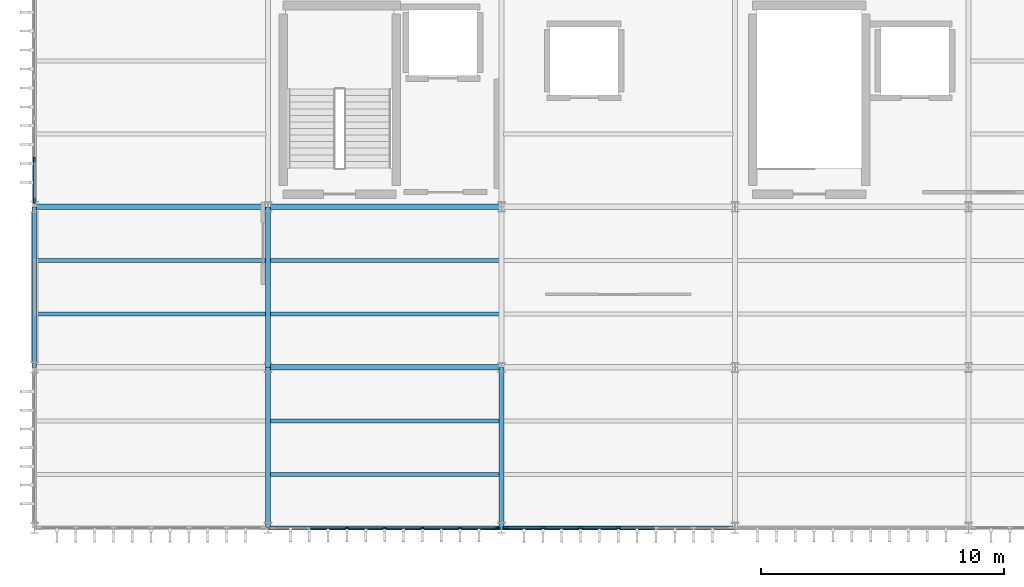
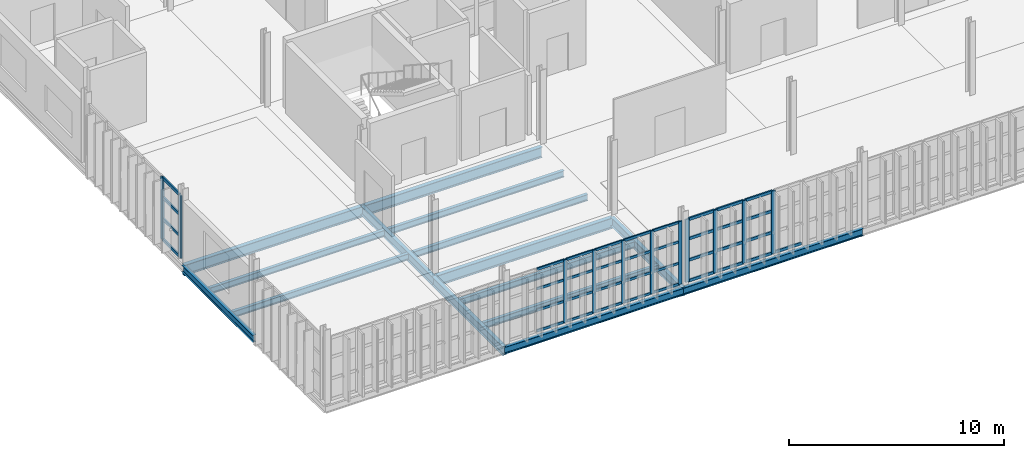
# One storey, part 5 of 38: 48 members, 15 beams, 3 elements without a shape of their own.
"""IFC4 building model written with IfcOpenShell, lengths in metres."""

from ifc_helpers import new_model, si_unit, direction, frame, origin, origin_2d, place, context, subcontext, project, spatial, rectangle, i_section, extrude, material, layer, layer_set, material_profile, profile_set, type_object, element, aggregate, save


model = new_model("IFC4")

# Units and contexts
model_context = context("Model", 3, precision=1e-05, world=origin(), true_north=direction((0.0, 1.0)))
body_context = subcontext(model_context, "Body", "Model", "MODEL_VIEW")
ifc_project = project(units=[si_unit("LENGTHUNIT", "METRE"), si_unit("AREAUNIT", "SQUARE_METRE"), si_unit("VOLUMEUNIT", "CUBIC_METRE"), si_unit("PLANEANGLEUNIT", "RADIAN"), si_unit("MASSUNIT", "GRAM", prefix="KILO")], contexts=[model_context])

# Site, building, storey
site_placement = place(None, origin())
site = spatial("IfcSite", under=ifc_project, at=site_placement, CompositionType="ELEMENT")
building_placement = place(site_placement, origin())
building = spatial("IfcBuilding", under=site, at=building_placement, Name="Zarnetskaya Central Station", CompositionType="ELEMENT")
storey_placement = place(building_placement, frame((0.0, 0.0, 18.60009765625)))
storey = spatial("IfcBuildingStorey", under=building, at=storey_placement, Name="L04", CompositionType="ELEMENT", Elevation=18.60009765625)

# Beams
ifc_material_1 = material(Name="Steel S355", Category="steel")
ifc_material_profile_1 = material_profile(ifc_material_1, i_section(OverallWidth=0.169921875, OverallDepth=0.360107421875, WebThickness=0.008056640625, FlangeThickness=0.0126953125, FilletRadius=0.01806640625, at=origin_2d()), Name="IPE 360")
ifc_profile_set_1 = profile_set([ifc_material_profile_1], Name="Steel S355")
beam_type_1 = type_object("IfcBeamType", Name="BM-SEC-360", PredefinedType="BEAM", material=ifc_profile_set_1)
for number, where, z_axis, x_axis, name in (
    (1, (0.080078125, 8.800048828125, -0.420166015625), (1.0, 0.0, 0.0), (0.0, 1.0, 0.0), "Secondary floor beam SEC-L04-Z1836-AB-23-1"),
    (2, (0.080078125, 11.0, -0.420166015625), (1.0, 0.0, 0.0), (0.0, 1.0, 0.0), "Secondary floor beam SEC-L04-Z1836-AB-23-2"),
):
    element("IfcBeam", number, at=place(storey_placement, frame(where, z_axis=z_axis, x_axis=x_axis)), inside=storey, type_object=beam_type_1, Name=name, PredefinedType="BEAM", context=body_context, shape_type="SweptSolid", body=[
        extrude(i_section(OverallWidth=0.169921875, OverallDepth=0.360107421875, WebThickness=0.008056640625, FlangeThickness=0.0126953125, FilletRadius=0.01806640625, at=origin_2d()), origin(), (0.0, 0.0, 1.0), 9.43994140625),
    ])
for number, where, z_axis, x_axis, name in (
    (3, (9.679931640625, 2.199951171875, -0.420166015625), (1.0, 0.0, 0.0), (0.0, 1.0, 0.0), "Secondary floor beam SEC-L04-Z1836-BC-12-1"),
    (4, (9.679931640625, 4.39990234375, -0.420166015625), (1.0, 0.0, 0.0), (0.0, 1.0, 0.0), "Secondary floor beam SEC-L04-Z1836-BC-12-2"),
    (5, (9.679931640625, 8.800048828125, -0.420166015625), (1.0, 0.0, 0.0), (0.0, 1.0, 0.0), "Secondary floor beam SEC-L04-Z1836-BC-23-1"),
    (6, (9.679931640625, 11.0, -0.420166015625), (1.0, 0.0, 0.0), (0.0, 1.0, 0.0), "Secondary floor beam SEC-L04-Z1836-BC-23-2"),
):
    element("IfcBeam", number, at=place(storey_placement, frame(where, z_axis=z_axis, x_axis=x_axis)), inside=storey, type_object=beam_type_1, Name=name, PredefinedType="BEAM", context=body_context, shape_type="SweptSolid", body=[
        extrude(i_section(OverallWidth=0.169921875, OverallDepth=0.360107421875, WebThickness=0.008056640625, FlangeThickness=0.0126953125, FilletRadius=0.01806640625, at=origin_2d()), origin(), (0.0, 0.0, 1.0), 9.440185546875),
    ])
ifc_material_profile_2 = material_profile(ifc_material_1, i_section(OverallWidth=0.179931640625, OverallDepth=0.39990234375, WebThickness=0.008544921875, FlangeThickness=0.013427734375, FilletRadius=0.02099609375, at=origin_2d()), Name="IPE 400")
ifc_profile_set_2 = profile_set([ifc_material_profile_2], Name="Steel S355")
beam_type_2 = type_object("IfcBeamType", Name="BM-SPN-V5", PredefinedType="SPANDREL", material=ifc_profile_set_2)
beam_1_placement = place(storey_placement, frame((0.0, 6.60009765625, -0.440185546875), z_axis=(0.0, 1.0, 0.0), x_axis=(-1.0, 0.0, 0.0)))
element("IfcBeam", 7, at=beam_1_placement, inside=storey, type_object=beam_type_2, Name="Grid girder GY-L04-A-23", PredefinedType="SPANDREL", context=body_context, shape_type="SweptSolid", body=[
    extrude(i_section(OverallWidth=0.179931640625, OverallDepth=0.39990234375, WebThickness=0.008544921875, FlangeThickness=0.013427734375, FilletRadius=0.02099609375, at=origin_2d()), origin(), (0.0, 0.0, 1.0), 6.599853515625),
])
beam_2_placement = place(storey_placement, frame((9.60009765625, 0.0, -0.440185546875), z_axis=(1.0, 0.0, 0.0), x_axis=(0.0, 1.0, 0.0)))
element("IfcBeam", 8, at=beam_2_placement, inside=storey, type_object=beam_type_2, Name="Grid girder GX-L04-1-BC", PredefinedType="SPANDREL", context=body_context, shape_type="SweptSolid", body=[
    extrude(i_section(OverallWidth=0.179931640625, OverallDepth=0.39990234375, WebThickness=0.008544921875, FlangeThickness=0.013427734375, FilletRadius=0.02099609375, at=origin_2d()), origin(), (0.0, 0.0, 1.0), 9.599853515625),
])
beam_3_placement = place(storey_placement, frame((19.199951171875, 0.0, -0.440185546875), z_axis=(1.0, 0.0, 0.0), x_axis=(0.0, 1.0, 0.0)))
element("IfcBeam", 9, at=beam_3_placement, inside=storey, type_object=beam_type_2, Name="Grid girder GX-L04-1-CD", PredefinedType="SPANDREL", context=body_context, shape_type="SweptSolid", body=[
    extrude(i_section(OverallWidth=0.179931640625, OverallDepth=0.39990234375, WebThickness=0.008544921875, FlangeThickness=0.013427734375, FilletRadius=0.02099609375, at=origin_2d()), origin(), (0.0, 0.0, 1.0), 9.60009765625),
])

# Curtain wall, members
ifc_material_2 = material(Name="Low-E insulated glass", Category="glass")
ifc_layer_1 = layer(ifc_material_2, 0.172119140625, Name="Low-E insulated glass", Category="glass")
ifc_layer_set_1 = layer_set([ifc_layer_1], Name="Low-E insulated glass")
curtain_wall_type_1 = type_object("IfcCurtainWallType", Name="CW-SYS-09", PredefinedType="USERDEFINED", material=ifc_layer_set_1)
curtain_wall_1_placement = place(storey_placement, origin())
curtain_wall_1 = element("IfcCurtainWall", 10, at=curtain_wall_1_placement, inside=storey, type_object=curtain_wall_type_1, Name="Curtain wall CW-L04-061", ObjectType="CURTAIN WALL", PredefinedType="USERDEFINED")
ifc_material_3 = material(Name="Anodised aluminium", Category="aluminium")
ifc_material_profile_3 = material_profile(ifc_material_3, rectangle(XDim=0.070068359375, YDim=0.179931640625, at=origin_2d()), Name="ALU MULL 70x180")
ifc_profile_set_3 = profile_set([ifc_material_profile_3], Name="Anodised aluminium")
member_type_1 = type_object("IfcMemberType", Name="CW-MULL-180", PredefinedType="MULLION", material=ifc_profile_set_3)
member_1_placement = place(storey_placement, frame((19.014892578125, 0.0, 0.0), z_axis=(0.0, 0.0, 1.0), x_axis=(0.0, -1.0, 0.0)))
member_1 = element("IfcMember", 11, at=member_1_placement, type_object=member_type_1, Name="CW-07 mullion 1", PredefinedType="MULLION", context=body_context, shape_type="SweptSolid", body=[
    extrude(rectangle(XDim=0.070068359375, YDim=0.179931640625, at=origin_2d()), origin(), (0.0, 0.0, 1.0), 3.559814453125),
])
member_2_placement = place(storey_placement, frame((17.5, 0.0, 0.0), z_axis=(0.0, 0.0, 1.0), x_axis=(0.0, -1.0, 0.0)))
member_2 = element("IfcMember", 12, at=member_2_placement, type_object=member_type_1, Name="CW-07 mullion 2", PredefinedType="MULLION", context=body_context, shape_type="SweptSolid", body=[
    extrude(rectangle(XDim=0.070068359375, YDim=0.179931640625, at=origin_2d()), origin(), (0.0, 0.0, 1.0), 3.559814453125),
])
member_3_placement = place(storey_placement, frame((15.949951171875, 0.0, 0.0), z_axis=(0.0, 0.0, 1.0), x_axis=(0.0, -1.0, 0.0)))
member_3 = element("IfcMember", 13, at=member_3_placement, type_object=member_type_1, Name="CW-07 mullion 3", PredefinedType="MULLION", context=body_context, shape_type="SweptSolid", body=[
    extrude(rectangle(XDim=0.070068359375, YDim=0.179931640625, at=origin_2d()), origin(), (0.0, 0.0, 1.0), 3.559814453125),
])
member_4_placement = place(storey_placement, frame((14.39990234375, 0.0, 0.0), z_axis=(0.0, 0.0, 1.0), x_axis=(0.0, -1.0, 0.0)))
member_4 = element("IfcMember", 14, at=member_4_placement, type_object=member_type_1, Name="CW-07 mullion 4", PredefinedType="MULLION", context=body_context, shape_type="SweptSolid", body=[
    extrude(rectangle(XDim=0.070068359375, YDim=0.179931640625, at=origin_2d()), origin(), (0.0, 0.0, 1.0), 3.559814453125),
])
member_5_placement = place(storey_placement, frame((12.85009765625, 0.0, 0.0), z_axis=(0.0, 0.0, 1.0), x_axis=(0.0, -1.0, 0.0)))
member_5 = element("IfcMember", 15, at=member_5_placement, type_object=member_type_1, Name="CW-07 mullion 5", PredefinedType="MULLION", context=body_context, shape_type="SweptSolid", body=[
    extrude(rectangle(XDim=0.070068359375, YDim=0.179931640625, at=origin_2d()), origin(), (0.0, 0.0, 1.0), 3.559814453125),
])

ifc_layer_2 = layer(ifc_material_2, 0.16796875, Name="Low-E insulated glass", Category="glass")
ifc_layer_set_2 = layer_set([ifc_layer_2], Name="Low-E insulated glass")
curtain_wall_type_2 = type_object("IfcCurtainWallType", Name="CW-SYS-08", PredefinedType="USERDEFINED", material=ifc_layer_set_2)
curtain_wall_2_placement = place(storey_placement, origin())
curtain_wall_2 = element("IfcCurtainWall", 16, at=curtain_wall_2_placement, inside=storey, type_object=curtain_wall_type_2, Name="Curtain wall CW-L04-048", ObjectType="CURTAIN WALL", PredefinedType="USERDEFINED")
ifc_material_profile_4 = material_profile(ifc_material_3, rectangle(XDim=0.080078125, YDim=0.219970703125, at=origin_2d()), Name="ALU MULL 80x220")
ifc_profile_set_4 = profile_set([ifc_material_profile_4], Name="Anodised aluminium")
member_type_2 = type_object("IfcMemberType", Name="CW-MULL-220", PredefinedType="MULLION", material=ifc_profile_set_4)
member_6_placement = place(storey_placement, frame((0.0, 13.465087890625, 0.0), z_axis=(0.0, 0.0, 1.0), x_axis=(-1.0, 0.0, 0.0)))
member_6 = element("IfcMember", 17, at=member_6_placement, type_object=member_type_2, Name="CW-16 mullion 1", PredefinedType="MULLION", context=body_context, shape_type="SweptSolid", body=[
    extrude(rectangle(XDim=0.080078125, YDim=0.219970703125, at=origin_2d()), origin(), (0.0, 0.0, 1.0), 3.559814453125),
])
member_7_placement = place(storey_placement, frame((0.0, 15.135009765625, 0.0), z_axis=(0.0, 0.0, 1.0), x_axis=(-1.0, 0.0, 0.0)))
member_7 = element("IfcMember", 18, at=member_7_placement, type_object=member_type_2, Name="CW-16 mullion 2", PredefinedType="MULLION", context=body_context, shape_type="SweptSolid", body=[
    extrude(rectangle(XDim=0.080078125, YDim=0.219970703125, at=origin_2d()), origin(), (0.0, 0.0, 1.0), 3.559814453125),
])

curtain_wall_3_placement = place(storey_placement, origin())
curtain_wall_3 = element("IfcCurtainWall", 19, at=curtain_wall_3_placement, inside=storey, type_object=curtain_wall_type_2, Name="Curtain wall CW-L04-060", ObjectType="CURTAIN WALL", PredefinedType="USERDEFINED")
member_8_placement = place(storey_placement, frame((24.0, 0.0, 0.0), z_axis=(0.0, 0.0, 1.0), x_axis=(0.0, -1.0, 0.0)))
member_8 = element("IfcMember", 20, at=member_8_placement, type_object=member_type_2, Name="CW-16 mullion 4", PredefinedType="MULLION", context=body_context, shape_type="SweptSolid", body=[
    extrude(rectangle(XDim=0.080078125, YDim=0.219970703125, at=origin_2d()), origin(), (0.0, 0.0, 1.0), 3.559814453125),
])
member_9_placement = place(storey_placement, frame((22.449951171875, 0.0, 0.0), z_axis=(0.0, 0.0, 1.0), x_axis=(0.0, -1.0, 0.0)))
member_9 = element("IfcMember", 21, at=member_9_placement, type_object=member_type_2, Name="CW-16 mullion 5", PredefinedType="MULLION", context=body_context, shape_type="SweptSolid", body=[
    extrude(rectangle(XDim=0.080078125, YDim=0.219970703125, at=origin_2d()), origin(), (0.0, 0.0, 1.0), 3.559814453125),
])
member_10_placement = place(storey_placement, frame((20.89990234375, 0.0, 0.0), z_axis=(0.0, 0.0, 1.0), x_axis=(0.0, -1.0, 0.0)))
member_10 = element("IfcMember", 22, at=member_10_placement, type_object=member_type_2, Name="CW-16 mullion 6", PredefinedType="MULLION", context=body_context, shape_type="SweptSolid", body=[
    extrude(rectangle(XDim=0.080078125, YDim=0.219970703125, at=origin_2d()), origin(), (0.0, 0.0, 1.0), 3.559814453125),
])
member_11_placement = place(storey_placement, frame((19.389892578125, 0.0, 0.0), z_axis=(0.0, 0.0, 1.0), x_axis=(0.0, -1.0, 0.0)))
member_11 = element("IfcMember", 23, at=member_11_placement, type_object=member_type_2, Name="CW-16 mullion 7", PredefinedType="MULLION", context=body_context, shape_type="SweptSolid", body=[
    extrude(rectangle(XDim=0.080078125, YDim=0.219970703125, at=origin_2d()), origin(), (0.0, 0.0, 1.0), 3.559814453125),
])

# Member
ifc_material_profile_5 = material_profile(ifc_material_3, rectangle(XDim=0.070068359375, YDim=0.139892578125, at=origin_2d()), Name="ALU TRAN 70x140")
ifc_profile_set_5 = profile_set([ifc_material_profile_5], Name="Anodised aluminium")
member_type_3 = type_object("IfcMemberType", Name="CW-TRAN-140", PredefinedType="USERDEFINED", material=ifc_profile_set_5)
member_12_placement = place(storey_placement, frame((18.97998046875, 0.0, 0.034912109375), z_axis=(-1.0, 0.0, 0.0), x_axis=(0.0, -1.0, 0.0)))
member_12 = element("IfcMember", 24, at=member_12_placement, type_object=member_type_3, Name="CW-07 transom 1.1", ObjectType="TRANSOM", PredefinedType="USERDEFINED", context=body_context, shape_type="SweptSolid", body=[
    extrude(rectangle(XDim=0.070068359375, YDim=0.139892578125, at=origin_2d()), origin(), (0.0, 0.0, 1.0), 1.445068359375),
])

member_13_placement = place(storey_placement, frame((18.97998046875, 0.0, 1.2099609375), z_axis=(-1.0, 0.0, 0.0), x_axis=(0.0, -1.0, 0.0)))
member_13 = element("IfcMember", 25, at=member_13_placement, type_object=member_type_3, Name="CW-07 transom 1.2", ObjectType="TRANSOM", PredefinedType="USERDEFINED", context=body_context, shape_type="SweptSolid", body=[
    extrude(rectangle(XDim=0.070068359375, YDim=0.139892578125, at=origin_2d()), origin(), (0.0, 0.0, 1.0), 1.445068359375),
])

member_14_placement = place(storey_placement, frame((18.97998046875, 0.0, 2.4208984375), z_axis=(-1.0, 0.0, 0.0), x_axis=(0.0, -1.0, 0.0)))
member_14 = element("IfcMember", 26, at=member_14_placement, type_object=member_type_3, Name="CW-07 transom 1.3", ObjectType="TRANSOM", PredefinedType="USERDEFINED", context=body_context, shape_type="SweptSolid", body=[
    extrude(rectangle(XDim=0.070068359375, YDim=0.139892578125, at=origin_2d()), origin(), (0.0, 0.0, 1.0), 1.445068359375),
])

member_15_placement = place(storey_placement, frame((18.97998046875, 0.0, 3.52490234375), z_axis=(-1.0, 0.0, 0.0), x_axis=(0.0, -1.0, 0.0)))
member_15 = element("IfcMember", 27, at=member_15_placement, type_object=member_type_3, Name="CW-07 transom 1.4", ObjectType="TRANSOM", PredefinedType="USERDEFINED", context=body_context, shape_type="SweptSolid", body=[
    extrude(rectangle(XDim=0.070068359375, YDim=0.139892578125, at=origin_2d()), origin(), (0.0, 0.0, 1.0), 1.445068359375),
])

member_16_placement = place(storey_placement, frame((17.465087890625, 0.0, 0.034912109375), z_axis=(-1.0, 0.0, 0.0), x_axis=(0.0, -1.0, 0.0)))
member_16 = element("IfcMember", 28, at=member_16_placement, type_object=member_type_3, Name="CW-07 transom 2.1", ObjectType="TRANSOM", PredefinedType="USERDEFINED", context=body_context, shape_type="SweptSolid", body=[
    extrude(rectangle(XDim=0.070068359375, YDim=0.139892578125, at=origin_2d()), origin(), (0.0, 0.0, 1.0), 1.47998046875),
])

member_17_placement = place(storey_placement, frame((17.465087890625, 0.0, 1.2099609375), z_axis=(-1.0, 0.0, 0.0), x_axis=(0.0, -1.0, 0.0)))
member_17 = element("IfcMember", 29, at=member_17_placement, type_object=member_type_3, Name="CW-07 transom 2.2", ObjectType="TRANSOM", PredefinedType="USERDEFINED", context=body_context, shape_type="SweptSolid", body=[
    extrude(rectangle(XDim=0.070068359375, YDim=0.139892578125, at=origin_2d()), origin(), (0.0, 0.0, 1.0), 1.47998046875),
])

member_18_placement = place(storey_placement, frame((17.465087890625, 0.0, 2.4208984375), z_axis=(-1.0, 0.0, 0.0), x_axis=(0.0, -1.0, 0.0)))
member_18 = element("IfcMember", 30, at=member_18_placement, type_object=member_type_3, Name="CW-07 transom 2.3", ObjectType="TRANSOM", PredefinedType="USERDEFINED", context=body_context, shape_type="SweptSolid", body=[
    extrude(rectangle(XDim=0.070068359375, YDim=0.139892578125, at=origin_2d()), origin(), (0.0, 0.0, 1.0), 1.47998046875),
])

member_19_placement = place(storey_placement, frame((17.465087890625, 0.0, 3.52490234375), z_axis=(-1.0, 0.0, 0.0), x_axis=(0.0, -1.0, 0.0)))
member_19 = element("IfcMember", 31, at=member_19_placement, type_object=member_type_3, Name="CW-07 transom 2.4", ObjectType="TRANSOM", PredefinedType="USERDEFINED", context=body_context, shape_type="SweptSolid", body=[
    extrude(rectangle(XDim=0.070068359375, YDim=0.139892578125, at=origin_2d()), origin(), (0.0, 0.0, 1.0), 1.47998046875),
])

member_20_placement = place(storey_placement, frame((15.9150390625, 0.0, 0.034912109375), z_axis=(-1.0, 0.0, 0.0), x_axis=(0.0, -1.0, 0.0)))
member_20 = element("IfcMember", 32, at=member_20_placement, type_object=member_type_3, Name="CW-07 transom 3.1", ObjectType="TRANSOM", PredefinedType="USERDEFINED", context=body_context, shape_type="SweptSolid", body=[
    extrude(rectangle(XDim=0.070068359375, YDim=0.139892578125, at=origin_2d()), origin(), (0.0, 0.0, 1.0), 1.47998046875),
])

member_21_placement = place(storey_placement, frame((15.9150390625, 0.0, 1.2099609375), z_axis=(-1.0, 0.0, 0.0), x_axis=(0.0, -1.0, 0.0)))
member_21 = element("IfcMember", 33, at=member_21_placement, type_object=member_type_3, Name="CW-07 transom 3.2", ObjectType="TRANSOM", PredefinedType="USERDEFINED", context=body_context, shape_type="SweptSolid", body=[
    extrude(rectangle(XDim=0.070068359375, YDim=0.139892578125, at=origin_2d()), origin(), (0.0, 0.0, 1.0), 1.47998046875),
])

member_22_placement = place(storey_placement, frame((15.9150390625, 0.0, 2.4208984375), z_axis=(-1.0, 0.0, 0.0), x_axis=(0.0, -1.0, 0.0)))
member_22 = element("IfcMember", 34, at=member_22_placement, type_object=member_type_3, Name="CW-07 transom 3.3", ObjectType="TRANSOM", PredefinedType="USERDEFINED", context=body_context, shape_type="SweptSolid", body=[
    extrude(rectangle(XDim=0.070068359375, YDim=0.139892578125, at=origin_2d()), origin(), (0.0, 0.0, 1.0), 1.47998046875),
])

member_23_placement = place(storey_placement, frame((15.9150390625, 0.0, 3.52490234375), z_axis=(-1.0, 0.0, 0.0), x_axis=(0.0, -1.0, 0.0)))
member_23 = element("IfcMember", 35, at=member_23_placement, type_object=member_type_3, Name="CW-07 transom 3.4", ObjectType="TRANSOM", PredefinedType="USERDEFINED", context=body_context, shape_type="SweptSolid", body=[
    extrude(rectangle(XDim=0.070068359375, YDim=0.139892578125, at=origin_2d()), origin(), (0.0, 0.0, 1.0), 1.47998046875),
])

member_24_placement = place(storey_placement, frame((14.364990234375, 0.0, 0.034912109375), z_axis=(-1.0, 0.0, 0.0), x_axis=(0.0, -1.0, 0.0)))
member_24 = element("IfcMember", 36, at=member_24_placement, type_object=member_type_3, Name="CW-07 transom 4.1", ObjectType="TRANSOM", PredefinedType="USERDEFINED", context=body_context, shape_type="SweptSolid", body=[
    extrude(rectangle(XDim=0.070068359375, YDim=0.139892578125, at=origin_2d()), origin(), (0.0, 0.0, 1.0), 1.47998046875),
])

member_25_placement = place(storey_placement, frame((14.364990234375, 0.0, 1.2099609375), z_axis=(-1.0, 0.0, 0.0), x_axis=(0.0, -1.0, 0.0)))
member_25 = element("IfcMember", 37, at=member_25_placement, type_object=member_type_3, Name="CW-07 transom 4.2", ObjectType="TRANSOM", PredefinedType="USERDEFINED", context=body_context, shape_type="SweptSolid", body=[
    extrude(rectangle(XDim=0.070068359375, YDim=0.139892578125, at=origin_2d()), origin(), (0.0, 0.0, 1.0), 1.47998046875),
])

member_26_placement = place(storey_placement, frame((14.364990234375, 0.0, 2.4208984375), z_axis=(-1.0, 0.0, 0.0), x_axis=(0.0, -1.0, 0.0)))
member_26 = element("IfcMember", 38, at=member_26_placement, type_object=member_type_3, Name="CW-07 transom 4.3", ObjectType="TRANSOM", PredefinedType="USERDEFINED", context=body_context, shape_type="SweptSolid", body=[
    extrude(rectangle(XDim=0.070068359375, YDim=0.139892578125, at=origin_2d()), origin(), (0.0, 0.0, 1.0), 1.47998046875),
])

member_27_placement = place(storey_placement, frame((14.364990234375, 0.0, 3.52490234375), z_axis=(-1.0, 0.0, 0.0), x_axis=(0.0, -1.0, 0.0)))
member_27 = element("IfcMember", 39, at=member_27_placement, type_object=member_type_3, Name="CW-07 transom 4.4", ObjectType="TRANSOM", PredefinedType="USERDEFINED", context=body_context, shape_type="SweptSolid", body=[
    extrude(rectangle(XDim=0.070068359375, YDim=0.139892578125, at=origin_2d()), origin(), (0.0, 0.0, 1.0), 1.47998046875),
])

member_28_placement = place(storey_placement, frame((12.81494140625, 0.0, 0.034912109375), z_axis=(-1.0, 0.0, 0.0), x_axis=(0.0, -1.0, 0.0)))
member_28 = element("IfcMember", 40, at=member_28_placement, type_object=member_type_3, Name="CW-07 transom 5.1", ObjectType="TRANSOM", PredefinedType="USERDEFINED", context=body_context, shape_type="SweptSolid", body=[
    extrude(rectangle(XDim=0.070068359375, YDim=0.139892578125, at=origin_2d()), origin(), (0.0, 0.0, 1.0), 1.47998046875),
])

member_29_placement = place(storey_placement, frame((12.81494140625, 0.0, 1.2099609375), z_axis=(-1.0, 0.0, 0.0), x_axis=(0.0, -1.0, 0.0)))
member_29 = element("IfcMember", 41, at=member_29_placement, type_object=member_type_3, Name="CW-07 transom 5.2", ObjectType="TRANSOM", PredefinedType="USERDEFINED", context=body_context, shape_type="SweptSolid", body=[
    extrude(rectangle(XDim=0.070068359375, YDim=0.139892578125, at=origin_2d()), origin(), (0.0, 0.0, 1.0), 1.47998046875),
])

member_30_placement = place(storey_placement, frame((12.81494140625, 0.0, 2.4208984375), z_axis=(-1.0, 0.0, 0.0), x_axis=(0.0, -1.0, 0.0)))
member_30 = element("IfcMember", 42, at=member_30_placement, type_object=member_type_3, Name="CW-07 transom 5.3", ObjectType="TRANSOM", PredefinedType="USERDEFINED", context=body_context, shape_type="SweptSolid", body=[
    extrude(rectangle(XDim=0.070068359375, YDim=0.139892578125, at=origin_2d()), origin(), (0.0, 0.0, 1.0), 1.47998046875),
])

member_31_placement = place(storey_placement, frame((12.81494140625, 0.0, 3.52490234375), z_axis=(-1.0, 0.0, 0.0), x_axis=(0.0, -1.0, 0.0)))
member_31 = element("IfcMember", 43, at=member_31_placement, type_object=member_type_3, Name="CW-07 transom 5.4", ObjectType="TRANSOM", PredefinedType="USERDEFINED", context=body_context, shape_type="SweptSolid", body=[
    extrude(rectangle(XDim=0.070068359375, YDim=0.139892578125, at=origin_2d()), origin(), (0.0, 0.0, 1.0), 1.47998046875),
])

aggregate(curtain_wall_1, [member_1, member_2, member_3, member_4, member_5, member_12, member_13, member_14, member_15, member_16, member_17, member_18, member_19, member_20, member_21, member_22, member_23, member_24, member_25, member_26, member_27, member_28, member_29, member_30, member_31])

ifc_material_profile_6 = material_profile(ifc_material_3, rectangle(XDim=0.080078125, YDim=0.159912109375, at=origin_2d()), Name="ALU TRAN 80x160")
ifc_profile_set_6 = profile_set([ifc_material_profile_6], Name="Anodised aluminium")
member_type_4 = type_object("IfcMemberType", Name="CW-TRAN-160", PredefinedType="USERDEFINED", material=ifc_profile_set_6)
member_32_placement = place(storey_placement, frame((0.0, 13.5048828125, 0.039794921875), z_axis=(0.0, 1.0, 0.0), x_axis=(-1.0, 0.0, 0.0)))
member_32 = element("IfcMember", 44, at=member_32_placement, type_object=member_type_4, Name="CW-16 transom 1.1", ObjectType="TRANSOM", PredefinedType="USERDEFINED", context=body_context, shape_type="SweptSolid", body=[
    extrude(rectangle(XDim=0.080078125, YDim=0.159912109375, at=origin_2d()), origin(), (0.0, 0.0, 1.0), 1.590087890625),
])

member_33_placement = place(storey_placement, frame((0.0, 13.5048828125, 1.2099609375), z_axis=(0.0, 1.0, 0.0), x_axis=(-1.0, 0.0, 0.0)))
member_33 = element("IfcMember", 45, at=member_33_placement, type_object=member_type_4, Name="CW-16 transom 1.2", ObjectType="TRANSOM", PredefinedType="USERDEFINED", context=body_context, shape_type="SweptSolid", body=[
    extrude(rectangle(XDim=0.080078125, YDim=0.159912109375, at=origin_2d()), origin(), (0.0, 0.0, 1.0), 1.590087890625),
])

member_34_placement = place(storey_placement, frame((0.0, 13.5048828125, 2.4208984375), z_axis=(0.0, 1.0, 0.0), x_axis=(-1.0, 0.0, 0.0)))
member_34 = element("IfcMember", 46, at=member_34_placement, type_object=member_type_4, Name="CW-16 transom 1.3", ObjectType="TRANSOM", PredefinedType="USERDEFINED", context=body_context, shape_type="SweptSolid", body=[
    extrude(rectangle(XDim=0.080078125, YDim=0.159912109375, at=origin_2d()), origin(), (0.0, 0.0, 1.0), 1.590087890625),
])

member_35_placement = place(storey_placement, frame((0.0, 13.5048828125, 3.52001953125), z_axis=(0.0, 1.0, 0.0), x_axis=(-1.0, 0.0, 0.0)))
member_35 = element("IfcMember", 47, at=member_35_placement, type_object=member_type_4, Name="CW-16 transom 1.4", ObjectType="TRANSOM", PredefinedType="USERDEFINED", context=body_context, shape_type="SweptSolid", body=[
    extrude(rectangle(XDim=0.080078125, YDim=0.159912109375, at=origin_2d()), origin(), (0.0, 0.0, 1.0), 1.590087890625),
])

aggregate(curtain_wall_2, [member_6, member_7, member_32, member_33, member_34, member_35])

member_36_placement = place(storey_placement, frame((25.510009765625, 0.0, 0.039794921875), z_axis=(-1.0, 0.0, 0.0), x_axis=(0.0, -1.0, 0.0)))
member_36 = element("IfcMember", 48, at=member_36_placement, type_object=member_type_4, Name="CW-16 transom 3.1", ObjectType="TRANSOM", PredefinedType="USERDEFINED", context=body_context, shape_type="SweptSolid", body=[
    extrude(rectangle(XDim=0.080078125, YDim=0.159912109375, at=origin_2d()), origin(), (0.0, 0.0, 1.0), 1.469970703125),
])

member_37_placement = place(storey_placement, frame((23.9599609375, 0.0, 0.039794921875), z_axis=(-1.0, 0.0, 0.0), x_axis=(0.0, -1.0, 0.0)))
member_37 = element("IfcMember", 49, at=member_37_placement, type_object=member_type_4, Name="CW-16 transom 4.1", ObjectType="TRANSOM", PredefinedType="USERDEFINED", context=body_context, shape_type="SweptSolid", body=[
    extrude(rectangle(XDim=0.080078125, YDim=0.159912109375, at=origin_2d()), origin(), (0.0, 0.0, 1.0), 1.469970703125),
])

member_38_placement = place(storey_placement, frame((23.9599609375, 0.0, 1.2099609375), z_axis=(-1.0, 0.0, 0.0), x_axis=(0.0, -1.0, 0.0)))
member_38 = element("IfcMember", 50, at=member_38_placement, type_object=member_type_4, Name="CW-16 transom 4.2", ObjectType="TRANSOM", PredefinedType="USERDEFINED", context=body_context, shape_type="SweptSolid", body=[
    extrude(rectangle(XDim=0.080078125, YDim=0.159912109375, at=origin_2d()), origin(), (0.0, 0.0, 1.0), 1.469970703125),
])

member_39_placement = place(storey_placement, frame((23.9599609375, 0.0, 2.4208984375), z_axis=(-1.0, 0.0, 0.0), x_axis=(0.0, -1.0, 0.0)))
member_39 = element("IfcMember", 51, at=member_39_placement, type_object=member_type_4, Name="CW-16 transom 4.3", ObjectType="TRANSOM", PredefinedType="USERDEFINED", context=body_context, shape_type="SweptSolid", body=[
    extrude(rectangle(XDim=0.080078125, YDim=0.159912109375, at=origin_2d()), origin(), (0.0, 0.0, 1.0), 1.469970703125),
])

member_40_placement = place(storey_placement, frame((23.9599609375, 0.0, 3.52001953125), z_axis=(-1.0, 0.0, 0.0), x_axis=(0.0, -1.0, 0.0)))
member_40 = element("IfcMember", 52, at=member_40_placement, type_object=member_type_4, Name="CW-16 transom 4.4", ObjectType="TRANSOM", PredefinedType="USERDEFINED", context=body_context, shape_type="SweptSolid", body=[
    extrude(rectangle(XDim=0.080078125, YDim=0.159912109375, at=origin_2d()), origin(), (0.0, 0.0, 1.0), 1.469970703125),
])

member_41_placement = place(storey_placement, frame((22.409912109375, 0.0, 0.039794921875), z_axis=(-1.0, 0.0, 0.0), x_axis=(0.0, -1.0, 0.0)))
member_41 = element("IfcMember", 53, at=member_41_placement, type_object=member_type_4, Name="CW-16 transom 5.1", ObjectType="TRANSOM", PredefinedType="USERDEFINED", context=body_context, shape_type="SweptSolid", body=[
    extrude(rectangle(XDim=0.080078125, YDim=0.159912109375, at=origin_2d()), origin(), (0.0, 0.0, 1.0), 1.469970703125),
])

member_42_placement = place(storey_placement, frame((22.409912109375, 0.0, 1.2099609375), z_axis=(-1.0, 0.0, 0.0), x_axis=(0.0, -1.0, 0.0)))
member_42 = element("IfcMember", 54, at=member_42_placement, type_object=member_type_4, Name="CW-16 transom 5.2", ObjectType="TRANSOM", PredefinedType="USERDEFINED", context=body_context, shape_type="SweptSolid", body=[
    extrude(rectangle(XDim=0.080078125, YDim=0.159912109375, at=origin_2d()), origin(), (0.0, 0.0, 1.0), 1.469970703125),
])

member_43_placement = place(storey_placement, frame((22.409912109375, 0.0, 2.4208984375), z_axis=(-1.0, 0.0, 0.0), x_axis=(0.0, -1.0, 0.0)))
member_43 = element("IfcMember", 55, at=member_43_placement, type_object=member_type_4, Name="CW-16 transom 5.3", ObjectType="TRANSOM", PredefinedType="USERDEFINED", context=body_context, shape_type="SweptSolid", body=[
    extrude(rectangle(XDim=0.080078125, YDim=0.159912109375, at=origin_2d()), origin(), (0.0, 0.0, 1.0), 1.469970703125),
])

member_44_placement = place(storey_placement, frame((22.409912109375, 0.0, 3.52001953125), z_axis=(-1.0, 0.0, 0.0), x_axis=(0.0, -1.0, 0.0)))
member_44 = element("IfcMember", 56, at=member_44_placement, type_object=member_type_4, Name="CW-16 transom 5.4", ObjectType="TRANSOM", PredefinedType="USERDEFINED", context=body_context, shape_type="SweptSolid", body=[
    extrude(rectangle(XDim=0.080078125, YDim=0.159912109375, at=origin_2d()), origin(), (0.0, 0.0, 1.0), 1.469970703125),
])

member_45_placement = place(storey_placement, frame((20.860107421875, 0.0, 0.039794921875), z_axis=(-1.0, 0.0, 0.0), x_axis=(0.0, -1.0, 0.0)))
member_45 = element("IfcMember", 57, at=member_45_placement, type_object=member_type_4, Name="CW-16 transom 6.1", ObjectType="TRANSOM", PredefinedType="USERDEFINED", context=body_context, shape_type="SweptSolid", body=[
    extrude(rectangle(XDim=0.080078125, YDim=0.159912109375, at=origin_2d()), origin(), (0.0, 0.0, 1.0), 1.43017578125),
])

member_46_placement = place(storey_placement, frame((20.860107421875, 0.0, 1.2099609375), z_axis=(-1.0, 0.0, 0.0), x_axis=(0.0, -1.0, 0.0)))
member_46 = element("IfcMember", 58, at=member_46_placement, type_object=member_type_4, Name="CW-16 transom 6.2", ObjectType="TRANSOM", PredefinedType="USERDEFINED", context=body_context, shape_type="SweptSolid", body=[
    extrude(rectangle(XDim=0.080078125, YDim=0.159912109375, at=origin_2d()), origin(), (0.0, 0.0, 1.0), 1.43017578125),
])

member_47_placement = place(storey_placement, frame((20.860107421875, 0.0, 2.4208984375), z_axis=(-1.0, 0.0, 0.0), x_axis=(0.0, -1.0, 0.0)))
member_47 = element("IfcMember", 59, at=member_47_placement, type_object=member_type_4, Name="CW-16 transom 6.3", ObjectType="TRANSOM", PredefinedType="USERDEFINED", context=body_context, shape_type="SweptSolid", body=[
    extrude(rectangle(XDim=0.080078125, YDim=0.159912109375, at=origin_2d()), origin(), (0.0, 0.0, 1.0), 1.43017578125),
])

member_48_placement = place(storey_placement, frame((20.860107421875, 0.0, 3.52001953125), z_axis=(-1.0, 0.0, 0.0), x_axis=(0.0, -1.0, 0.0)))
member_48 = element("IfcMember", 60, at=member_48_placement, type_object=member_type_4, Name="CW-16 transom 6.4", ObjectType="TRANSOM", PredefinedType="USERDEFINED", context=body_context, shape_type="SweptSolid", body=[
    extrude(rectangle(XDim=0.080078125, YDim=0.159912109375, at=origin_2d()), origin(), (0.0, 0.0, 1.0), 1.43017578125),
])

aggregate(curtain_wall_3, [member_8, member_9, member_10, member_11, member_36, member_37, member_38, member_39, member_40, member_41, member_42, member_43, member_44, member_45, member_46, member_47, member_48])

# Beams
ifc_material_profile_7 = material_profile(ifc_material_1, i_section(OverallWidth=0.199951171875, OverallDepth=0.5, WebThickness=0.01025390625, FlangeThickness=0.01611328125, FilletRadius=0.02099609375, at=origin_2d()), Name="IPE 500")
ifc_profile_set_7 = profile_set([ifc_material_profile_7], Name="Steel S355")
beam_type_3 = type_object("IfcBeamType", Name="GD-FLR-500", PredefinedType="USERDEFINED", material=ifc_profile_set_7)
beam_4_placement = place(storey_placement, frame((9.60009765625, 0.0, -0.489990234375), z_axis=(0.0, 1.0, 0.0), x_axis=(-1.0, 0.0, 0.0)))
element("IfcBeam", 61, at=beam_4_placement, inside=storey, type_object=beam_type_3, Name="Grid girder GY-L04-B-12", ObjectType="GIRDER", PredefinedType="USERDEFINED", context=body_context, shape_type="SweptSolid", body=[
    extrude(i_section(OverallWidth=0.199951171875, OverallDepth=0.5, WebThickness=0.01025390625, FlangeThickness=0.01611328125, FilletRadius=0.02099609375, at=origin_2d()), origin(), (0.0, 0.0, 1.0), 6.60009765625),
])
beam_5_placement = place(storey_placement, frame((9.60009765625, 6.60009765625, -0.489990234375), z_axis=(0.0, 1.0, 0.0), x_axis=(-1.0, 0.0, 0.0)))
element("IfcBeam", 62, at=beam_5_placement, inside=storey, type_object=beam_type_3, Name="Grid girder GY-L04-B-23", ObjectType="GIRDER", PredefinedType="USERDEFINED", context=body_context, shape_type="SweptSolid", body=[
    extrude(i_section(OverallWidth=0.199951171875, OverallDepth=0.5, WebThickness=0.01025390625, FlangeThickness=0.01611328125, FilletRadius=0.02099609375, at=origin_2d()), origin(), (0.0, 0.0, 1.0), 6.599853515625),
])
beam_6_placement = place(storey_placement, frame((19.199951171875, 0.0, -0.489990234375), z_axis=(0.0, 1.0, 0.0), x_axis=(-1.0, 0.0, 0.0)))
element("IfcBeam", 63, at=beam_6_placement, inside=storey, type_object=beam_type_3, Name="Grid girder GY-L04-C-12", ObjectType="GIRDER", PredefinedType="USERDEFINED", context=body_context, shape_type="SweptSolid", body=[
    extrude(i_section(OverallWidth=0.199951171875, OverallDepth=0.5, WebThickness=0.01025390625, FlangeThickness=0.01611328125, FilletRadius=0.02099609375, at=origin_2d()), origin(), (0.0, 0.0, 1.0), 6.60009765625),
])
ifc_material_profile_8 = material_profile(ifc_material_1, i_section(OverallWidth=0.219970703125, OverallDepth=0.60009765625, WebThickness=0.011962890625, FlangeThickness=0.01904296875, FilletRadius=0.02392578125, at=origin_2d()), Name="IPE 600")
ifc_profile_set_8 = profile_set([ifc_material_profile_8], Name="Steel S355")
beam_type_4 = type_object("IfcBeamType", Name="GD-FLR-600", PredefinedType="USERDEFINED", material=ifc_profile_set_8)
beam_7_placement = place(storey_placement, frame((0.0, 13.199951171875, -0.5400390625), z_axis=(1.0, 0.0, 0.0), x_axis=(0.0, 1.0, 0.0)))
element("IfcBeam", 64, at=beam_7_placement, inside=storey, type_object=beam_type_4, Name="Grid girder GX-L04-3-AB", ObjectType="GIRDER", PredefinedType="USERDEFINED", context=body_context, shape_type="SweptSolid", body=[
    extrude(i_section(OverallWidth=0.219970703125, OverallDepth=0.60009765625, WebThickness=0.011962890625, FlangeThickness=0.01904296875, FilletRadius=0.02392578125, at=origin_2d()), origin(), (0.0, 0.0, 1.0), 9.60009765625),
])
for number, where, z_axis, x_axis, name in (
    (65, (9.60009765625, 6.60009765625, -0.5400390625), (1.0, 0.0, 0.0), (0.0, 1.0, 0.0), "Grid girder GX-L04-2-BC"),
    (66, (9.60009765625, 13.199951171875, -0.5400390625), (1.0, 0.0, 0.0), (0.0, 1.0, 0.0), "Grid girder GX-L04-3-BC"),
):
    element("IfcBeam", number, at=place(storey_placement, frame(where, z_axis=z_axis, x_axis=x_axis)), inside=storey, type_object=beam_type_4, Name=name, ObjectType="GIRDER", PredefinedType="USERDEFINED", context=body_context, shape_type="SweptSolid", body=[
        extrude(i_section(OverallWidth=0.219970703125, OverallDepth=0.60009765625, WebThickness=0.011962890625, FlangeThickness=0.01904296875, FilletRadius=0.02392578125, at=origin_2d()), origin(), (0.0, 0.0, 1.0), 9.599853515625),
    ])

save(model, "model.ifc")
